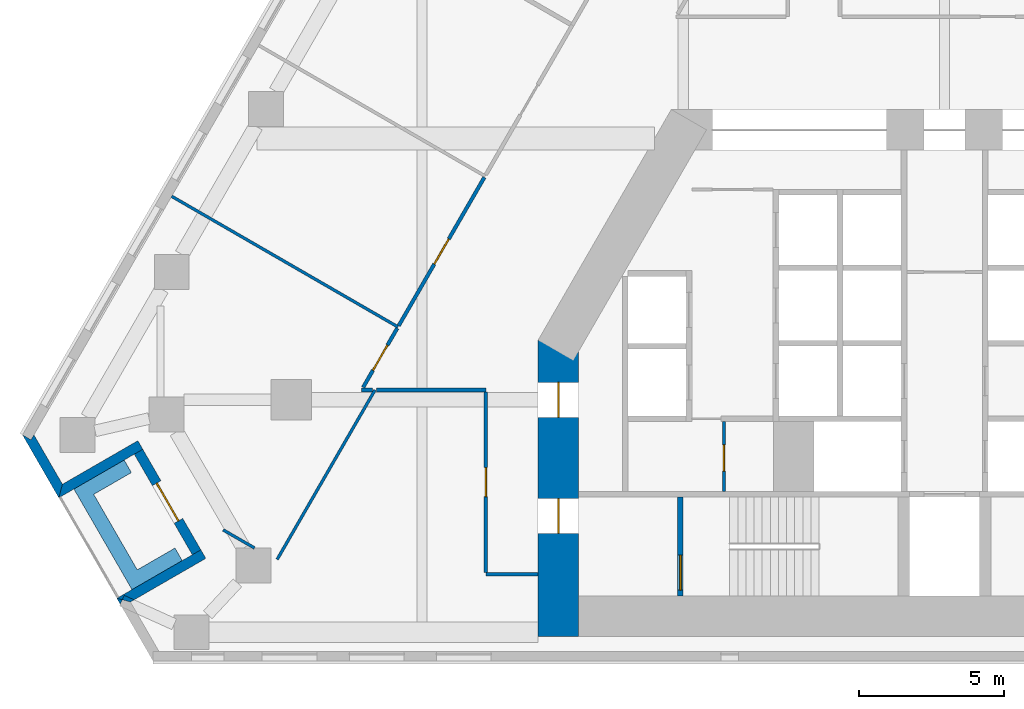
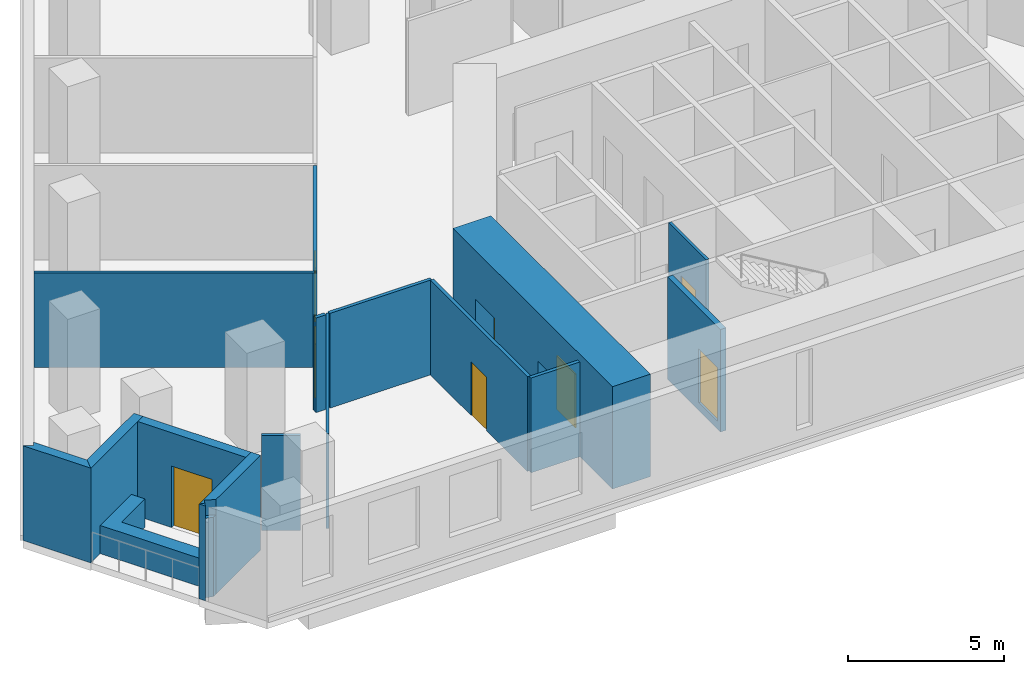
# One storey, part 3 of 11: 19 walls, 8 doors, 8 openings.
"""IFC4 building model written with IfcOpenShell, lengths in metres."""

from ifc_helpers import new_model, si_unit, direction, frame, frame_2d, origin, place, context, subcontext, project, spatial, polyline, rectangle, outline, extrude, material, layer, layer_set, type_object, element, fill, save


model = new_model("IFC4")

# Units and contexts
model_context = context("Model", 3, precision=1e-05, world=origin(), true_north=direction((0.0, 1.0)))
body_context = subcontext(model_context, "Body", "Model", "MODEL_VIEW")
ifc_project = project(units=[si_unit("LENGTHUNIT", "METRE"), si_unit("AREAUNIT", "SQUARE_METRE"), si_unit("VOLUMEUNIT", "CUBIC_METRE"), si_unit("PLANEANGLEUNIT", "RADIAN"), si_unit("MASSUNIT", "GRAM", prefix="KILO")], contexts=[model_context])

# Site, building, storey
site_placement = place(None, origin())
site = spatial("IfcSite", under=ifc_project, at=site_placement, CompositionType="ELEMENT")
building_placement = place(site_placement, origin())
building = spatial("IfcBuilding", under=site, at=building_placement, Name="Fogline Exchange Tower", CompositionType="ELEMENT")
storey_placement = place(building_placement, frame((0.0, 0.0, 56.89990234375)))
storey = spatial("IfcBuildingStorey", under=building, at=storey_placement, Name="L11", CompositionType="ELEMENT", Elevation=56.89990234375)

# Wall, opening, door
ifc_material_1 = material(Name="Blockwork partition", Category="masonry")
ifc_layer_1 = layer(ifc_material_1, 0.10009765625)
ifc_layer_set_1 = layer_set([ifc_layer_1], Name="CW10")
wall_type_1 = type_object("IfcWallType", Name="CW10", PredefinedType="PARTITIONING", material=ifc_layer_set_1)
wall_1_placement = place(storey_placement, frame((-7.60009765625, 5.85009765625, 0.0), z_axis=(0.0, 0.0, 1.0), x_axis=(0.0, 1.0, 0.0)))
wall_1 = element("IfcWall", 1, at=wall_1_placement, inside=storey, type_object=wall_type_1, Name="WC partition", PredefinedType="PARTITIONING", context=body_context, shape_type="SweptSolid", body=[
    extrude(rectangle(XDim=2.39990234375, YDim=0.10009765625, at=frame_2d((1.199951171875, 0.0))), origin(), (0.0, 0.0, 1.0), 3.7001953125),
])
opening_1_placement = place(wall_1_placement, frame((0.699951171875, 0.0, 0.0)))
opening_1 = element("IfcOpeningElement", 2, at=opening_1_placement, cuts=wall_1, Name="Opening T03-C009", PredefinedType="OPENING", context=body_context, shape_type="SweptSolid", body=[
    extrude(rectangle(XDim=0.89990234375, YDim=2.10009765625, at=frame_2d((0.449951171875, 1.050048828125))), frame((0.0, 0.06005859375, 0.0), z_axis=(0.0, -1.0, 0.0), x_axis=(1.0, 0.0, 0.0)), (0.0, 0.0, 1.0), 0.1201171875),
])
ifc_material_2 = material(Name="Steel and timber fire door", Category="steel")
door_type_1 = type_object("IfcDoorType", Name="D-CS1", OperationType="SINGLE_SWING_RIGHT", PredefinedType="DOOR", material=ifc_material_2)
door_1_placement = place(opening_1_placement, frame((0.89990234375, 0.0, 0.0), z_axis=(0.0, 0.0, 1.0), x_axis=(-1.0, 0.0, 0.0)))
door_1 = element("IfcDoor", 3, at=door_1_placement, inside=storey, type_object=door_type_1, Name="Door to Cleaner's Store", OperationType="SINGLE_SWING_RIGHT", OverallHeight=2.10009765625, OverallWidth=0.89990234375, PredefinedType="DOOR", context=body_context, shape_type="SweptSolid", body=[
    extrude(rectangle(XDim=0.89990234375, YDim=2.10009765625, at=frame_2d((0.449951171875, 1.050048828125))), frame((0.0, 0.02490234375, 0.0), z_axis=(0.0, -1.0, 0.0), x_axis=(1.0, 0.0, 0.0)), (0.0, 0.0, 1.0), 0.050048828125),
])
fill(opening_1, door_1)

ifc_material_3 = material(Name="Concrete C40", Category="concrete")
ifc_layer_2 = layer(ifc_material_3, 0.199951171875)
ifc_layer_set_2 = layer_set([ifc_layer_2], Name="CW20R")
wall_type_2 = type_object("IfcWallType", Name="CW20R", PredefinedType="SOLIDWALL", material=ifc_layer_set_2)
wall_2_placement = place(storey_placement, frame((-9.10009765625, 2.25, -0.2998046875), z_axis=(0.0, 0.0, 1.0), x_axis=(0.0, 1.0, 0.0)))
wall_2 = element("IfcWall", 4, at=wall_2_placement, inside=storey, type_object=wall_type_2, Name="Stair enclosure wall", PredefinedType="SOLIDWALL", context=body_context, shape_type="SweptSolid", body=[
    extrude(rectangle(XDim=3.39990234375, YDim=0.199951171875, at=frame_2d((1.699951171875, 0.0))), origin(), (0.0, 0.0, 1.0), 4.0),
])
opening_2_placement = place(wall_2_placement, frame((0.199951171875, 0.0, 0.300048828125)))
opening_2 = element("IfcOpeningElement", 5, at=opening_2_placement, cuts=wall_2, Name="Opening T03-C011", PredefinedType="OPENING", context=body_context, shape_type="SweptSolid", body=[
    extrude(rectangle(XDim=1.199951171875, YDim=2.10009765625, at=frame_2d((0.60009765625, 1.050048828125))), frame((0.0, 0.10986328125, 0.0), z_axis=(0.0, -1.0, 0.0), x_axis=(1.0, 0.0, 0.0)), (0.0, 0.0, 1.0), 0.219970703125),
])
door_type_2 = type_object("IfcDoorType", Name="D-ST1", OperationType="SINGLE_SWING_LEFT", PredefinedType="DOOR", material=ifc_material_2)
door_2_placement = place(opening_2_placement, frame((1.199951171875, 0.0, 0.0), z_axis=(0.0, 0.0, 1.0), x_axis=(-1.0, 0.0, 0.0)))
door_2 = element("IfcDoor", 6, at=door_2_placement, inside=storey, type_object=door_type_2, Name="Stair door ST1", OperationType="SINGLE_SWING_RIGHT", OverallHeight=2.10009765625, OverallWidth=1.199951171875, PredefinedType="DOOR", context=body_context, shape_type="SweptSolid", body=[
    extrude(rectangle(XDim=1.199951171875, YDim=2.10009765625, at=frame_2d((0.60009765625, 1.050048828125))), frame((0.0, 0.02490234375, 0.0), z_axis=(0.0, -1.0, 0.0), x_axis=(1.0, 0.0, 0.0)), (0.0, 0.0, 1.0), 0.050048828125),
])
fill(opening_2, door_2)

# Walls
ifc_material_4 = material(Name="Brick masonry", Category="masonry")
ifc_layer_3 = layer(ifc_material_4, 0.340087890625)
ifc_layer_set_3 = layer_set([ifc_layer_3], Name="FW1")
wall_type_3 = type_object("IfcWallType", Name="FW1", PredefinedType="SOLIDWALL", material=ifc_layer_set_3)
wall_3_placement = place(storey_placement, origin())
element("IfcWall", 7, at=wall_3_placement, inside=storey, type_object=wall_type_3, Name="Brick wall L11 SW-c1", PredefinedType="SOLIDWALL", context=body_context, shape_type="SweptSolid", body=[
    extrude(outline(polyline([(-30.505126953125, 5.6279296875), (-31.75634765625, 7.794921875), (-31.755859375, 7.79541015625), (-31.4609375, 7.625), (-31.362548828125, 7.79541015625), (-30.380126953125, 6.09375), (-30.5048828125, 5.6279296875), (-30.505126953125, 5.6279296875)])), origin(), (0.0, 0.0, 1.0), 3.7001953125),
])
wall_4_placement = place(storey_placement, origin())
element("IfcWall", 8, at=wall_4_placement, inside=storey, type_object=wall_type_3, Name="Brick wall L11 SW-s1", PredefinedType="SOLIDWALL", context=body_context, shape_type="SweptSolid", body=[
    extrude(outline(polyline([(-27.782470703125, 7.594482421875), (-27.61181640625, 7.298828125), (-27.90673828125, 7.128662109375), (-30.505859375, 5.628173828125), (-30.506103515625, 5.62841796875), (-30.38134765625, 6.093994140625), (-27.782470703125, 7.594482421875)])), origin(), (0.0, 0.0, 1.0), 3.7001953125),
])

# Wall, opening, door
wall_5_placement = place(storey_placement, frame((-27.760009765625, 7.214111328125, 0.0), z_axis=(0.0, 0.0, 1.0), x_axis=(0.49999894854, -0.866026010844, 0.0)))
wall_5 = element("IfcWall", 9, at=wall_5_placement, inside=storey, type_object=wall_type_3, Name="Brick wall L11 SW-bk", PredefinedType="SOLIDWALL", context=body_context, shape_type="SweptSolid", body=[
    extrude(rectangle(XDim=4.0, YDim=0.340087890625, at=frame_2d((2.0, 0.0))), origin(), (0.0, 0.0, 1.0), 3.7001953125),
])
opening_3_placement = place(wall_5_placement, frame((1.25, 0.0, 0.0)))
opening_3 = element("IfcOpeningElement", 10, at=opening_3_placement, cuts=wall_5, Name="Opening T03-E021", PredefinedType="OPENING", context=body_context, shape_type="SweptSolid", body=[
    extrude(rectangle(XDim=1.5, YDim=2.39990234375, at=frame_2d((0.75, 1.199951171875))), frame((0.0, 0.18017578125, 0.0), z_axis=(0.0, -1.0, 0.0), x_axis=(1.0, 0.0, 0.0)), (0.0, 0.0, 1.0), 0.360107421875),
])
ifc_material_5 = material(Name="Aluminium and glass", Category="aluminium")
door_type_3 = type_object("IfcDoorType", Name="ED4", OperationType="SINGLE_SWING_LEFT", PredefinedType="DOOR", material=ifc_material_5)
door_3_placement = place(opening_3_placement, frame((1.5, 0.0, 0.0), z_axis=(0.0, 0.0, 1.0), x_axis=(-1.0, 0.0, 0.0)))
door_3 = element("IfcDoor", 11, at=door_3_placement, inside=storey, type_object=door_type_3, Name="Balcony door L11 SW", OperationType="DOUBLE_DOOR_SINGLE_SWING", OverallHeight=2.39990234375, OverallWidth=1.5, PredefinedType="DOOR", context=body_context, shape_type="SweptSolid", body=[
    extrude(rectangle(XDim=1.5, YDim=2.39990234375, at=frame_2d((0.75, 1.199951171875))), frame((0.0, 0.02490234375, 0.0), z_axis=(0.0, -1.0, 0.0), x_axis=(1.0, 0.0, 0.0)), (0.0, 0.0, 1.0), 0.050048828125),
])
fill(opening_3, door_3)

# Walls
wall_6_placement = place(storey_placement, origin())
element("IfcWall", 12, at=wall_6_placement, inside=storey, type_object=wall_type_3, Name="Brick wall L11 SW-s2", PredefinedType="SOLIDWALL", context=body_context, shape_type="SweptSolid", body=[
    extrude(outline(polyline([(-28.040771484375, 2.0400390625), (-28.321044921875, 2.114990234375), (-28.25146484375, 2.2685546875), (-27.911376953125, 2.11474609375), (-28.040771484375, 2.0400390625)])), origin(), (0.0, 0.0, 1.0), 3.10009765625),
])
wall_7_placement = place(storey_placement, origin())
element("IfcWall", 13, at=wall_7_placement, inside=storey, type_object=wall_type_3, Name="Brick wall L11 SW-s2", PredefinedType="SOLIDWALL", context=body_context, shape_type="SweptSolid", body=[
    extrude(outline(polyline([(-25.907470703125, 3.66552734375), (-25.612548828125, 3.8359375), (-25.44189453125, 3.540283203125), (-27.911376953125, 2.11474609375), (-28.25146484375, 2.2685546875), (-28.321044921875, 2.114990234375), (-28.50634765625, 2.164794921875), (-28.50634765625, 2.1650390625), (-25.907470703125, 3.66552734375)])), origin(), (0.0, 0.0, 1.0), 3.7001953125),
])
wall_8_placement = place(storey_placement, origin())
element("IfcWall", 14, at=wall_8_placement, inside=storey, type_object=wall_type_3, Name="Brick wall L11 SW-c2", PredefinedType="SOLIDWALL", context=body_context, shape_type="SweptSolid", body=[
    extrude(outline(polyline([(-28.50634765625, 2.165771484375), (-28.506103515625, 2.166015625), (-28.3203125, 2.1162109375), (-28.389404296875, 1.96337890625), (-28.50634765625, 2.165771484375)])), origin(), (0.0, 0.0, 1.0), 3.7001953125),
])
ifc_material_6 = material(Name="Concrete C30", Category="concrete")
ifc_layer_4 = layer(ifc_material_6, 0.199951171875)
ifc_layer_set_4 = layer_set([ifc_layer_4], Name="PL1")
wall_type_4 = type_object("IfcWallType", Name="PL1", PredefinedType="USERDEFINED", material=ifc_layer_set_4)
wall_9_placement = place(storey_placement, origin())
element("IfcWall", 15, at=wall_9_placement, inside=storey, type_object=wall_type_4, Name="PLANTER balcony L11 SW", ObjectType="PLANTER", PredefinedType="USERDEFINED", context=body_context, shape_type="SweptSolid", body=[
    extrude(outline(polyline([(-26.503662109375, 3.898193359375), (-27.802490234375, 3.148193359375), (-29.302490234375, 5.74609375), (-28.003662109375, 6.49609375), (-28.253662109375, 6.92919921875), (-29.985595703125, 5.92919921875), (-29.735595703125, 5.49609375), (-27.985595703125, 2.465087890625), (-27.552490234375, 2.715087890625), (-27.552490234375, 2.715087890625), (-26.253662109375, 3.465087890625), (-26.503662109375, 3.898193359375)])), origin(), (0.0, 0.0, 1.0), 1.10009765625),
])
ifc_material_7 = material(Name="Plasterboard partition, 2 layers each side on steel studs", Category="steel")
ifc_layer_5 = layer(ifc_material_7, 0.10009765625)
ifc_layer_set_5 = layer_set([ifc_layer_5], Name="PW1")
wall_type_5 = type_object("IfcWallType", Name="PW1", PredefinedType="PARTITIONING", material=ifc_layer_set_5)
wall_10_placement = place(storey_placement, frame((-18.823974609375, 11.51171875, 0.0), z_axis=(0.0, 0.0, 1.0), x_axis=(-0.866024315419, 0.5000018851, 0.0)))
element("IfcWall", 16, at=wall_10_placement, inside=storey, type_object=wall_type_5, Name="wall-L11-W052", PredefinedType="PARTITIONING", context=body_context, shape_type="SweptSolid", body=[
    extrude(rectangle(XDim=9.0, YDim=0.10009765625, at=frame_2d((4.5, 0.0))), origin(), (0.0, 0.0, 1.0), 3.7001953125),
])
wall_11_placement = place(storey_placement, frame((-19.615966796875, 9.340087890625, 0.0), z_axis=(0.0, 0.0, 1.0), x_axis=(-0.500013134444, -0.866017820477, 0.0)))
element("IfcWall", 17, at=wall_11_placement, inside=storey, type_object=wall_type_5, Name="wall-L11-W053", PredefinedType="PARTITIONING", context=body_context, shape_type="SweptSolid", body=[
    extrude(rectangle(XDim=6.737060546875, YDim=0.10009765625, at=frame_2d((3.36865234375, 0.0))), origin(), (0.0, 0.0, 1.0), 3.7001953125),
])
wall_12_placement = place(storey_placement, frame((-23.765869140625, 3.89892578125, 0.0), z_axis=(0.0, 0.0, 1.0), x_axis=(-0.865963302823, 0.500107546598, 0.0)))
element("IfcWall", 18, at=wall_12_placement, inside=storey, type_object=wall_type_5, Name="wall-L11-W054", PredefinedType="PARTITIONING", context=body_context, shape_type="SweptSolid", body=[
    extrude(rectangle(XDim=1.243896484375, YDim=0.10009765625, at=frame_2d((0.6220703125, 0.0))), origin(), (0.0, 0.0, 1.0), 3.7001953125),
])
ifc_material_8 = material(Name="Plasterboard corridor partition with mineral wool, 2 layers each side")
ifc_layer_6 = layer(ifc_material_8, 0.125)
ifc_layer_set_6 = layer_set([ifc_layer_6], Name="PW2")
wall_type_6 = type_object("IfcWallType", Name="PW2", PredefinedType="PARTITIONING", material=ifc_layer_set_6)
wall_13_placement = place(storey_placement, frame((-14.0, 3.0, 0.0), z_axis=(0.0, 0.0, 1.0), x_axis=(-1.0, 0.0, 0.0)))
element("IfcWall", 19, at=wall_13_placement, inside=storey, type_object=wall_type_6, Name="wall-L11-W008", PredefinedType="PARTITIONING", context=body_context, shape_type="SweptSolid", body=[
    extrude(rectangle(XDim=1.800048828125, YDim=0.125, at=frame_2d((0.89990234375, 0.0))), origin(), (0.0, 0.0, 1.0), 3.7001953125),
])

# Wall, opening, door
wall_14_placement = place(storey_placement, frame((-15.800048828125, 3.0625, 0.0), z_axis=(0.0, 0.0, 1.0), x_axis=(0.0, 1.0, 0.0)))
wall_14 = element("IfcWall", 20, at=wall_14_placement, inside=storey, type_object=wall_type_6, Name="wall-L11-W009", PredefinedType="PARTITIONING", context=body_context, shape_type="SweptSolid", body=[
    extrude(rectangle(XDim=6.215087890625, YDim=0.125, at=frame_2d((3.107421875, 0.0))), origin(), (0.0, 0.0, 1.0), 3.7001953125),
])
opening_4_placement = place(wall_14_placement, frame((2.607421875, 0.0, 0.0)))
opening_4 = element("IfcOpeningElement", 21, at=opening_4_placement, cuts=wall_14, Name="Opening T03-D004", PredefinedType="OPENING", context=body_context, shape_type="SweptSolid", body=[
    extrude(rectangle(XDim=1.0, YDim=2.10009765625, at=frame_2d((0.5, 1.050048828125))), frame((0.0, 0.072509765625, 0.0), z_axis=(0.0, -1.0, 0.0), x_axis=(1.0, 0.0, 0.0)), (0.0, 0.0, 1.0), 0.14501953125),
])
ifc_material_9 = material(Name="Fire-rated timber door leaf with steel frame", Category="steel")
door_type_4 = type_object("IfcDoorType", Name="D3", OperationType="SINGLE_SWING_LEFT", PredefinedType="DOOR", material=ifc_material_9)
door_4_placement = place(opening_4_placement, origin())
door_4 = element("IfcDoor", 22, at=door_4_placement, inside=storey, type_object=door_type_4, Name="door-L11-D004", OperationType="SINGLE_SWING_LEFT", OverallHeight=2.10009765625, OverallWidth=1.0, PredefinedType="DOOR", context=body_context, shape_type="SweptSolid", body=[
    extrude(rectangle(XDim=1.0, YDim=2.10009765625, at=frame_2d((0.5, 1.050048828125))), frame((0.0, 0.02490234375, 0.0), z_axis=(0.0, -1.0, 0.0), x_axis=(1.0, 0.0, 0.0)), (0.0, 0.0, 1.0), 0.050048828125),
])
fill(opening_4, door_4)

wall_15_placement = place(storey_placement, frame((-18.798583984375, 11.555419921875, 0.0), z_axis=(0.0, 0.0, 1.0), x_axis=(0.499949350311, 0.866054644421, 0.0)))
wall_15 = element("IfcWall", 23, at=wall_15_placement, inside=storey, type_object=wall_type_6, Name="wall-L11-W024", PredefinedType="PARTITIONING", context=body_context, shape_type="SweptSolid", body=[
    extrude(rectangle(XDim=5.89892578125, YDim=0.125, at=frame_2d((2.949462890625, 0.0))), origin(), (0.0, 0.0, 1.0), 3.7001953125),
])
opening_5_placement = place(wall_15_placement, frame((2.449462890625, 0.0, 0.0)))
opening_5 = element("IfcOpeningElement", 24, at=opening_5_placement, cuts=wall_15, Name="Opening T03-D014", PredefinedType="OPENING", context=body_context, shape_type="SweptSolid", body=[
    extrude(rectangle(XDim=1.0, YDim=2.10009765625, at=frame_2d((0.5, 1.050048828125))), frame((0.0, 0.072509765625, 0.0), z_axis=(0.0, -1.0, 0.0), x_axis=(1.0, 0.0, 0.0)), (0.0, 0.0, 1.0), 0.14501953125),
])
door_5_placement = place(opening_5_placement, origin())
door_5 = element("IfcDoor", 25, at=door_5_placement, inside=storey, type_object=door_type_4, Name="door-L11-D014", OperationType="SINGLE_SWING_LEFT", OverallHeight=2.10009765625, OverallWidth=1.0, PredefinedType="DOOR", context=body_context, shape_type="SweptSolid", body=[
    extrude(rectangle(XDim=1.0, YDim=2.10009765625, at=frame_2d((0.5, 1.050048828125))), frame((0.0, 0.02490234375, 0.0), z_axis=(0.0, -1.0, 0.0), x_axis=(1.0, 0.0, 0.0)), (0.0, 0.0, 1.0), 0.050048828125),
])
fill(opening_5, door_5)

# Wall
wall_16_placement = place(storey_placement, frame((-19.710205078125, 9.340087890625, 0.0), z_axis=(0.0, 0.0, 1.0), x_axis=(-1.0, 0.0, 0.0)))
element("IfcWall", 26, at=wall_16_placement, inside=storey, type_object=wall_type_6, Name="wall-L11-W025", PredefinedType="PARTITIONING", context=body_context, shape_type="SweptSolid", body=[
    extrude(rectangle(XDim=0.36767578125, YDim=0.125, at=frame_2d((0.183837890625, 0.0))), origin(), (0.0, 0.0, 1.0), 3.7001953125),
])

# Wall, opening, door
wall_17_placement = place(storey_placement, frame((-20.0234375, 9.43408203125, 0.0), z_axis=(0.0, 0.0, 1.0), x_axis=(0.499929430274, 0.866066143401, 0.0)))
wall_17 = element("IfcWall", 27, at=wall_17_placement, inside=storey, type_object=wall_type_6, Name="wall-L11-W026", PredefinedType="PARTITIONING", context=body_context, shape_type="SweptSolid", body=[
    extrude(rectangle(XDim=2.348388671875, YDim=0.125, at=frame_2d((1.17431640625, 0.0))), origin(), (0.0, 0.0, 1.0), 3.7001953125),
])
opening_6_placement = place(wall_17_placement, frame((0.67431640625, 0.0, 0.0)))
opening_6 = element("IfcOpeningElement", 28, at=opening_6_placement, cuts=wall_17, Name="Opening T03-D015", PredefinedType="OPENING", context=body_context, shape_type="SweptSolid", body=[
    extrude(rectangle(XDim=1.0, YDim=2.10009765625, at=frame_2d((0.5, 1.050048828125))), frame((0.0, 0.072509765625, 0.0), z_axis=(0.0, -1.0, 0.0), x_axis=(1.0, 0.0, 0.0)), (0.0, 0.0, 1.0), 0.14501953125),
])
door_6_placement = place(opening_6_placement, origin())
door_6 = element("IfcDoor", 29, at=door_6_placement, inside=storey, type_object=door_type_4, Name="door-L11-D015", OperationType="SINGLE_SWING_LEFT", OverallHeight=2.10009765625, OverallWidth=1.0, PredefinedType="DOOR", context=body_context, shape_type="SweptSolid", body=[
    extrude(rectangle(XDim=1.0, YDim=2.10009765625, at=frame_2d((0.5, 1.050048828125))), frame((0.0, 0.02490234375, 0.0), z_axis=(0.0, -1.0, 0.0), x_axis=(1.0, 0.0, 0.0)), (0.0, 0.0, 1.0), 0.050048828125),
])
fill(opening_6, door_6)

# Wall
wall_18_placement = place(storey_placement, frame((-15.800048828125, 9.340087890625, 0.0), z_axis=(0.0, 0.0, 1.0), x_axis=(-1.0, 0.0, 0.0)))
element("IfcWall", 30, at=wall_18_placement, inside=storey, type_object=wall_type_6, Name="wall-L11-W027", PredefinedType="PARTITIONING", context=body_context, shape_type="SweptSolid", body=[
    extrude(rectangle(XDim=3.772216796875, YDim=0.125, at=frame_2d((1.88623046875, 0.0))), origin(), (0.0, 0.0, 1.0), 3.7001953125),
])

# Wall, openings, doors
ifc_material_10 = material(Name="Concrete C60", Category="concrete")
ifc_layer_7 = layer(ifc_material_10, 1.39990234375)
ifc_layer_set_7 = layer_set([ifc_layer_7], Name="SW01")
wall_type_7 = type_object("IfcWallType", Name="SW01", PredefinedType="SHEAR", material=ifc_layer_set_7)
wall_19_placement = place(storey_placement, frame((-13.300048828125, 11.052490234375, 0.0), z_axis=(0.0, 0.0, 1.0), x_axis=(0.0, -1.0, 0.0)))
wall_19 = element("IfcWall", 31, at=wall_19_placement, inside=storey, type_object=wall_type_7, Name="L11-W906", PredefinedType="SHEAR", context=body_context, shape_type="SweptSolid", body=[
    extrude(rectangle(XDim=10.202392578125, YDim=1.39990234375, at=frame_2d((5.10107421875, 0.0))), origin(), (0.0, 0.0, 1.0), 4.0),
])
opening_7_placement = place(wall_19_placement, frame((5.45263671875, 0.0, 0.0)))
opening_7 = element("IfcOpeningElement", 32, at=opening_7_placement, cuts=wall_19, Name="Opening T03-C010", PredefinedType="OPENING", context=body_context, shape_type="SweptSolid", body=[
    extrude(rectangle(XDim=1.199951171875, YDim=2.10009765625, at=frame_2d((0.60009765625, 1.050048828125))), frame((0.0, 0.7099609375, 0.0), z_axis=(0.0, -1.0, 0.0), x_axis=(1.0, 0.0, 0.0)), (0.0, 0.0, 1.0), 1.419921875),
])
opening_8_placement = place(wall_19_placement, frame((1.45263671875, 0.0, 0.0)))
opening_8 = element("IfcOpeningElement", 33, at=opening_8_placement, cuts=wall_19, Name="Opening T03-C012", PredefinedType="OPENING", context=body_context, shape_type="SweptSolid", body=[
    extrude(rectangle(XDim=1.199951171875, YDim=2.10009765625, at=frame_2d((0.60009765625, 1.050048828125))), frame((0.0, 0.7099609375, 0.0), z_axis=(0.0, -1.0, 0.0), x_axis=(1.0, 0.0, 0.0)), (0.0, 0.0, 1.0), 1.419921875),
])
door_type_5 = type_object("IfcDoorType", Name="D-FR1", OperationType="SINGLE_SWING_RIGHT", PredefinedType="DOOR", material=ifc_material_2)
door_7_placement = place(opening_7_placement, origin())
door_7 = element("IfcDoor", 34, at=door_7_placement, inside=storey, type_object=door_type_5, Name="Front room door ST1", OperationType="SINGLE_SWING_LEFT", OverallHeight=2.10009765625, OverallWidth=1.199951171875, PredefinedType="DOOR", context=body_context, shape_type="SweptSolid", body=[
    extrude(rectangle(XDim=1.199951171875, YDim=2.10009765625, at=frame_2d((0.60009765625, 1.050048828125))), frame((0.0, 0.02490234375, 0.0), z_axis=(0.0, -1.0, 0.0), x_axis=(1.0, 0.0, 0.0)), (0.0, 0.0, 1.0), 0.050048828125),
])
fill(opening_7, door_7)
door_type_6 = type_object("IfcDoorType", Name="D-SV1", OperationType="SINGLE_SWING_LEFT", PredefinedType="DOOR", material=ifc_material_2)
door_8_placement = place(opening_8_placement, origin())
door_8 = element("IfcDoor", 35, at=door_8_placement, inside=storey, type_object=door_type_6, Name="Service door W", OperationType="SINGLE_SWING_LEFT", OverallHeight=2.10009765625, OverallWidth=1.199951171875, PredefinedType="DOOR", context=body_context, shape_type="SweptSolid", body=[
    extrude(rectangle(XDim=1.199951171875, YDim=2.10009765625, at=frame_2d((0.60009765625, 1.050048828125))), frame((0.0, 0.02490234375, 0.0), z_axis=(0.0, -1.0, 0.0), x_axis=(1.0, 0.0, 0.0)), (0.0, 0.0, 1.0), 0.050048828125),
])
fill(opening_8, door_8)

save(model, "model.ifc")
